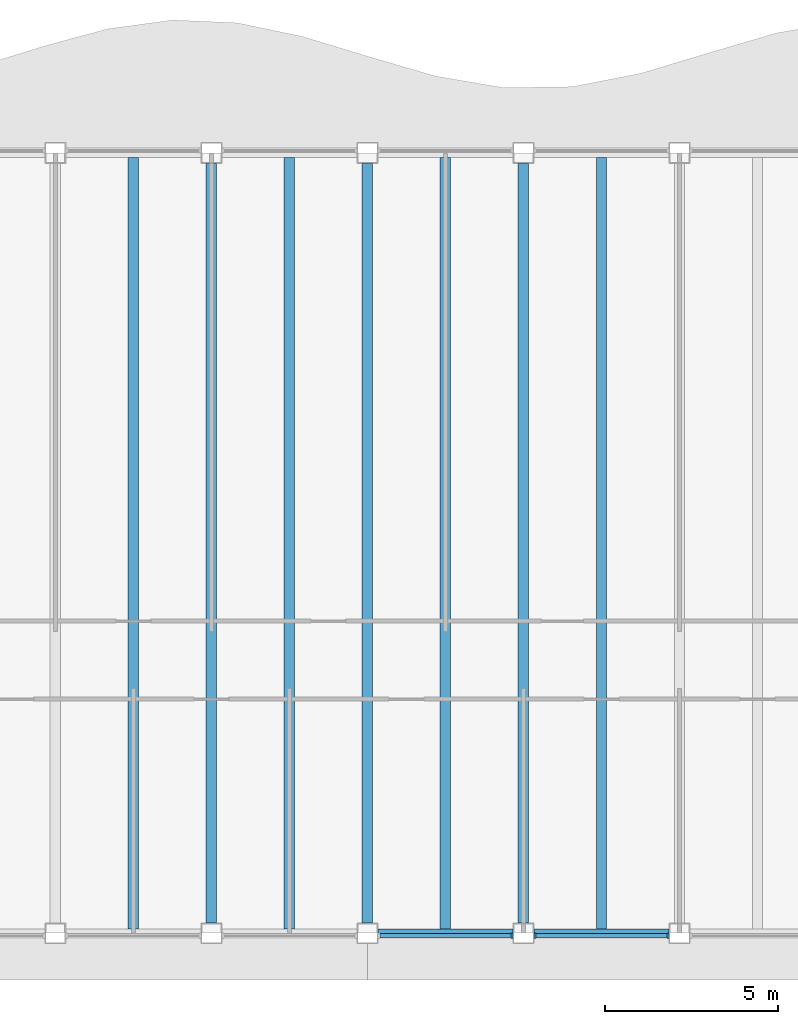
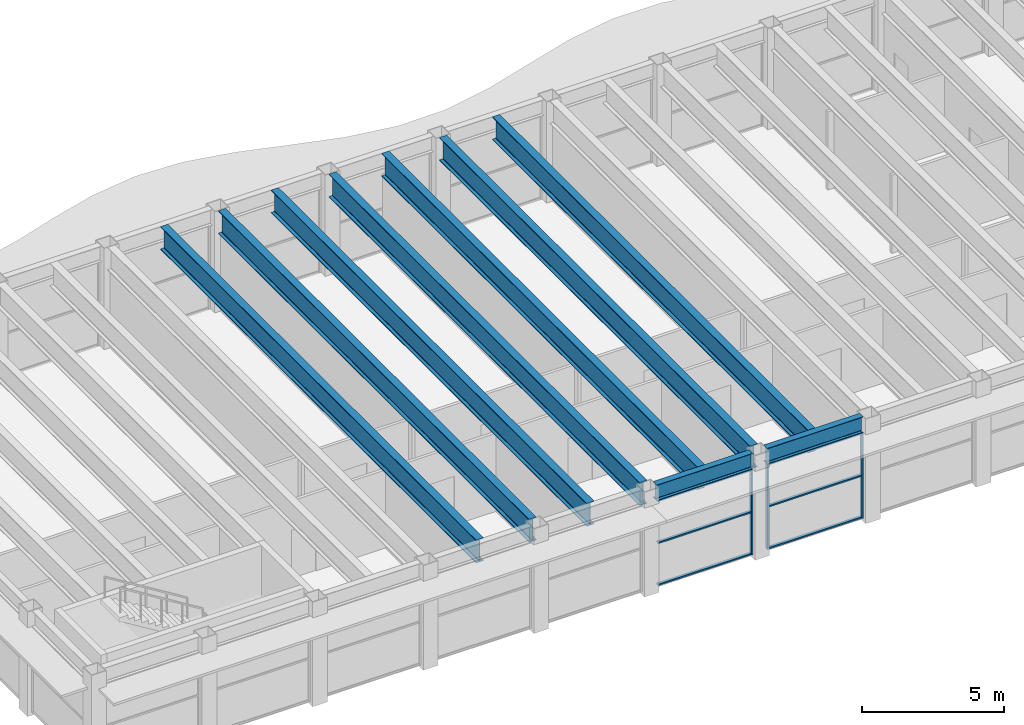
# One storey, part 3 of 14: 9 beams, 9 members, 2 elements without a shape of their own.
"""IFC4 building model written with IfcOpenShell, lengths in metres."""

from ifc_helpers import new_model, si_unit, direction, frame, origin, origin_2d, place, context, subcontext, project, spatial, rectangle, i_section, extrude, material, material_profile, profile_set, type_object, element, aggregate, save


model = new_model("IFC4")

# Units and contexts
model_context = context("Model", 3, precision=1e-05, world=origin(), true_north=direction((0.0, 1.0)))
body_context = subcontext(model_context, "Body", "Model", "MODEL_VIEW")
ifc_project = project(units=[si_unit("LENGTHUNIT", "METRE"), si_unit("AREAUNIT", "SQUARE_METRE"), si_unit("VOLUMEUNIT", "CUBIC_METRE"), si_unit("PLANEANGLEUNIT", "RADIAN"), si_unit("MASSUNIT", "GRAM", prefix="KILO")], contexts=[model_context])

# Site, building, storey
site_placement = place(None, origin())
site = spatial("IfcSite", under=ifc_project, at=site_placement, CompositionType="ELEMENT")
building_placement = place(site_placement, origin())
building = spatial("IfcBuilding", under=site, at=building_placement, Name="Sennacour Bend Tower", CompositionType="ELEMENT")
storey_placement = place(building_placement, frame((0.0, 0.0, 336.5)))
storey = spatial("IfcBuildingStorey", under=building, at=storey_placement, Name="L77", CompositionType="ELEMENT", Elevation=336.5)

# Curtain wall, member
ifc_material_1 = material(Name="Bronze anodised aluminium curtain wall with clear glass", Category="aluminium")
curtain_wall_type = type_object("IfcCurtainWallType", Name="CURTAIN WALL EXEC", PredefinedType="NOTDEFINED", material=ifc_material_1)
curtain_wall_1_placement = place(storey_placement, origin())
curtain_wall_1 = element("IfcCurtainWall", 1, at=curtain_wall_1_placement, inside=storey, type_object=curtain_wall_type, Name="Executive floor glass wall L77", PredefinedType="NOTDEFINED")
ifc_material_2 = material(Name="Aluminium 6063-T6", Category="aluminium")
ifc_material_profile_1 = material_profile(ifc_material_2, rectangle(XDim=0.14990234375, YDim=0.06005859375, at=origin_2d()), Name="Aluminium 6063-T6", Category="aluminium")
ifc_profile_set_1 = profile_set([ifc_material_profile_1], Name="Aluminium 6063-T6")
member_type_1 = type_object("IfcMemberType", Name="CW-MULLION-150X60", PredefinedType="MULLION", material=ifc_profile_set_1)
member_1_placement = place(storey_placement, frame((26.669921875, -0.074951171875, 0.0), z_axis=(0.0, 0.0, 1.0), x_axis=(0.0, 1.0, 0.0)))
member_1 = element("IfcMember", 2, at=member_1_placement, type_object=member_type_1, Name="GW3 curtain wall mullion 2", PredefinedType="MULLION", context=body_context, shape_type="SweptSolid", body=[
    extrude(rectangle(XDim=0.14990234375, YDim=0.06005859375, at=origin_2d()), origin(), (0.0, 0.0, 1.0), 3.672119140625),
])

# Curtain wall, members
curtain_wall_2_placement = place(storey_placement, origin())
curtain_wall_2 = element("IfcCurtainWall", 3, at=curtain_wall_2_placement, inside=storey, type_object=curtain_wall_type, Name="Executive floor glass wall L77", PredefinedType="NOTDEFINED")
member_2_placement = place(storey_placement, frame((27.330078125, -0.074951171875, 0.0), z_axis=(0.0, 0.0, 1.0), x_axis=(0.0, 1.0, 0.0)))
member_2 = element("IfcMember", 4, at=member_2_placement, type_object=member_type_1, Name="GW3 curtain wall mullion 1", PredefinedType="MULLION", context=body_context, shape_type="SweptSolid", body=[
    extrude(rectangle(XDim=0.14990234375, YDim=0.06005859375, at=origin_2d()), origin(), (0.0, 0.0, 1.0), 3.672119140625),
])
member_3_placement = place(storey_placement, frame((31.169921875, -0.074951171875, 0.0), z_axis=(0.0, 0.0, 1.0), x_axis=(0.0, 1.0, 0.0)))
member_3 = element("IfcMember", 5, at=member_3_placement, type_object=member_type_1, Name="GW3 curtain wall mullion 2", PredefinedType="MULLION", context=body_context, shape_type="SweptSolid", body=[
    extrude(rectangle(XDim=0.14990234375, YDim=0.06005859375, at=origin_2d()), origin(), (0.0, 0.0, 1.0), 3.672119140625),
])

# Member
ifc_material_profile_2 = material_profile(ifc_material_2, rectangle(XDim=0.1201171875, YDim=0.06005859375, at=origin_2d()), Name="Aluminium 6063-T6", Category="aluminium")
ifc_profile_set_2 = profile_set([ifc_material_profile_2], Name="Aluminium 6063-T6")
member_type_2 = type_object("IfcMemberType", Name="CW-TRANSOM-120X60", PredefinedType="USERDEFINED", material=ifc_profile_set_2)
member_4_placement = place(storey_placement, frame((22.860107421875, -0.074951171875, 0.030029296875), z_axis=(1.0, 0.0, 0.0), x_axis=(0.0, 1.0, 0.0)))
member_4 = element("IfcMember", 6, at=member_4_placement, type_object=member_type_2, Name="GW3 curtain wall transom 1.1", ObjectType="TRANSOM", PredefinedType="USERDEFINED", context=body_context, shape_type="SweptSolid", body=[
    extrude(rectangle(XDim=0.1201171875, YDim=0.06005859375, at=origin_2d()), origin(), (0.0, 0.0, 1.0), 3.77978515625),
])

member_5_placement = place(storey_placement, frame((22.860107421875, -0.074951171875, 1.8359375), z_axis=(1.0, 0.0, 0.0), x_axis=(0.0, 1.0, 0.0)))
member_5 = element("IfcMember", 7, at=member_5_placement, type_object=member_type_2, Name="GW3 curtain wall transom 1.2", ObjectType="TRANSOM", PredefinedType="USERDEFINED", context=body_context, shape_type="SweptSolid", body=[
    extrude(rectangle(XDim=0.1201171875, YDim=0.06005859375, at=origin_2d()), origin(), (0.0, 0.0, 1.0), 3.77978515625),
])

member_6_placement = place(storey_placement, frame((22.860107421875, -0.074951171875, 3.64208984375), z_axis=(1.0, 0.0, 0.0), x_axis=(0.0, 1.0, 0.0)))
member_6 = element("IfcMember", 8, at=member_6_placement, type_object=member_type_2, Name="GW3 curtain wall transom 1.3", ObjectType="TRANSOM", PredefinedType="USERDEFINED", context=body_context, shape_type="SweptSolid", body=[
    extrude(rectangle(XDim=0.1201171875, YDim=0.06005859375, at=origin_2d()), origin(), (0.0, 0.0, 1.0), 3.77978515625),
])

aggregate(curtain_wall_1, [member_1, member_4, member_5, member_6])

member_7_placement = place(storey_placement, frame((27.360107421875, -0.074951171875, 0.030029296875), z_axis=(1.0, 0.0, 0.0), x_axis=(0.0, 1.0, 0.0)))
member_7 = element("IfcMember", 9, at=member_7_placement, type_object=member_type_2, Name="GW3 curtain wall transom 1.1", ObjectType="TRANSOM", PredefinedType="USERDEFINED", context=body_context, shape_type="SweptSolid", body=[
    extrude(rectangle(XDim=0.1201171875, YDim=0.06005859375, at=origin_2d()), origin(), (0.0, 0.0, 1.0), 3.77978515625),
])

member_8_placement = place(storey_placement, frame((27.360107421875, -0.074951171875, 1.8359375), z_axis=(1.0, 0.0, 0.0), x_axis=(0.0, 1.0, 0.0)))
member_8 = element("IfcMember", 10, at=member_8_placement, type_object=member_type_2, Name="GW3 curtain wall transom 1.2", ObjectType="TRANSOM", PredefinedType="USERDEFINED", context=body_context, shape_type="SweptSolid", body=[
    extrude(rectangle(XDim=0.1201171875, YDim=0.06005859375, at=origin_2d()), origin(), (0.0, 0.0, 1.0), 3.77978515625),
])

member_9_placement = place(storey_placement, frame((27.360107421875, -0.074951171875, 3.64208984375), z_axis=(1.0, 0.0, 0.0), x_axis=(0.0, 1.0, 0.0)))
member_9 = element("IfcMember", 11, at=member_9_placement, type_object=member_type_2, Name="GW3 curtain wall transom 1.3", ObjectType="TRANSOM", PredefinedType="USERDEFINED", context=body_context, shape_type="SweptSolid", body=[
    extrude(rectangle(XDim=0.1201171875, YDim=0.06005859375, at=origin_2d()), origin(), (0.0, 0.0, 1.0), 3.77978515625),
])

aggregate(curtain_wall_2, [member_2, member_3, member_7, member_8, member_9])

# Beams
ifc_material_3 = material(Name="Steel ASTM A992 Grade 50", Category="steel")
ifc_material_profile_3 = material_profile(ifc_material_3, i_section(OverallWidth=0.300048828125, OverallDepth=0.990966796875, WebThickness=0.0166015625, FlangeThickness=0.030517578125, FilletRadius=0.030029296875, at=origin_2d()), Name="Steel ASTM A992 Grade 50", Category="steel")
ifc_profile_set_3 = profile_set([ifc_material_profile_3], Name="Steel ASTM A992 Grade 50")
beam_type_1 = type_object("IfcBeamType", Name="Floor beam W1000X272", PredefinedType="BEAM", material=ifc_profile_set_3)
beam_1_placement = place(storey_placement, frame((15.75, 0.126953125, 3.8544921875), z_axis=(0.0, 1.0, 0.0), x_axis=(-1.0, 0.0, 0.0)))
element("IfcBeam", 12, at=beam_1_placement, inside=storey, type_object=beam_type_1, Name="Floor beam FBM3 L78-007", PredefinedType="BEAM", context=body_context, shape_type="SweptSolid", body=[
    extrude(i_section(OverallWidth=0.300048828125, OverallDepth=0.990966796875, WebThickness=0.0166015625, FlangeThickness=0.030517578125, FilletRadius=0.030029296875, at=origin_2d()), origin(), (0.0, 0.0, 1.0), 22.24609375),
])
beam_2_placement = place(storey_placement, frame((18.0, 0.300048828125, 3.8544921875), z_axis=(0.0, 1.0, 0.0), x_axis=(-1.0, 0.0, 0.0)))
element("IfcBeam", 13, at=beam_2_placement, inside=storey, type_object=beam_type_1, Name="Floor beam FBM3 L78-008", PredefinedType="BEAM", context=body_context, shape_type="SweptSolid", body=[
    extrude(i_section(OverallWidth=0.300048828125, OverallDepth=0.990966796875, WebThickness=0.0166015625, FlangeThickness=0.030517578125, FilletRadius=0.030029296875, at=origin_2d()), origin(), (0.0, 0.0, 1.0), 21.89990234375),
])
beam_3_placement = place(storey_placement, frame((20.25, 0.126953125, 3.8544921875), z_axis=(0.0, 1.0, 0.0), x_axis=(-1.0, 0.0, 0.0)))
element("IfcBeam", 14, at=beam_3_placement, inside=storey, type_object=beam_type_1, Name="Floor beam FBM3 L78-009", PredefinedType="BEAM", context=body_context, shape_type="SweptSolid", body=[
    extrude(i_section(OverallWidth=0.300048828125, OverallDepth=0.990966796875, WebThickness=0.0166015625, FlangeThickness=0.030517578125, FilletRadius=0.030029296875, at=origin_2d()), origin(), (0.0, 0.0, 1.0), 22.24609375),
])
beam_4_placement = place(storey_placement, frame((22.5, 0.300048828125, 3.8544921875), z_axis=(0.0, 1.0, 0.0), x_axis=(-1.0, 0.0, 0.0)))
element("IfcBeam", 15, at=beam_4_placement, inside=storey, type_object=beam_type_1, Name="Floor beam FBM3 L78-010", PredefinedType="BEAM", context=body_context, shape_type="SweptSolid", body=[
    extrude(i_section(OverallWidth=0.300048828125, OverallDepth=0.990966796875, WebThickness=0.0166015625, FlangeThickness=0.030517578125, FilletRadius=0.030029296875, at=origin_2d()), origin(), (0.0, 0.0, 1.0), 21.89990234375),
])
beam_5_placement = place(storey_placement, frame((24.75, 0.126953125, 3.8544921875), z_axis=(0.0, 1.0, 0.0), x_axis=(-1.0, 0.0, 0.0)))
element("IfcBeam", 16, at=beam_5_placement, inside=storey, type_object=beam_type_1, Name="Floor beam FBM3 L78-011", PredefinedType="BEAM", context=body_context, shape_type="SweptSolid", body=[
    extrude(i_section(OverallWidth=0.300048828125, OverallDepth=0.990966796875, WebThickness=0.0166015625, FlangeThickness=0.030517578125, FilletRadius=0.030029296875, at=origin_2d()), origin(), (0.0, 0.0, 1.0), 22.24609375),
])
beam_6_placement = place(storey_placement, frame((27.0, 0.300048828125, 3.8544921875), z_axis=(0.0, 1.0, 0.0), x_axis=(-1.0, 0.0, 0.0)))
element("IfcBeam", 17, at=beam_6_placement, inside=storey, type_object=beam_type_1, Name="Floor beam FBM3 L78-012", PredefinedType="BEAM", context=body_context, shape_type="SweptSolid", body=[
    extrude(i_section(OverallWidth=0.300048828125, OverallDepth=0.990966796875, WebThickness=0.0166015625, FlangeThickness=0.030517578125, FilletRadius=0.030029296875, at=origin_2d()), origin(), (0.0, 0.0, 1.0), 21.89990234375),
])
beam_7_placement = place(storey_placement, frame((29.25, 0.126953125, 3.8544921875), z_axis=(0.0, 1.0, 0.0), x_axis=(-1.0, 0.0, 0.0)))
element("IfcBeam", 18, at=beam_7_placement, inside=storey, type_object=beam_type_1, Name="Floor beam FBM3 L78-013", PredefinedType="BEAM", context=body_context, shape_type="SweptSolid", body=[
    extrude(i_section(OverallWidth=0.300048828125, OverallDepth=0.990966796875, WebThickness=0.0166015625, FlangeThickness=0.030517578125, FilletRadius=0.030029296875, at=origin_2d()), origin(), (0.0, 0.0, 1.0), 22.24609375),
])
ifc_material_profile_4 = material_profile(ifc_material_3, i_section(OverallWidth=0.25390625, OverallDepth=0.677978515625, WebThickness=0.01171875, FlangeThickness=0.016357421875, FilletRadius=0.01513671875, at=origin_2d()), Name="Steel ASTM A992 Grade 50", Category="steel")
ifc_profile_set_4 = profile_set([ifc_material_profile_4], Name="Steel ASTM A992 Grade 50")
beam_type_2 = type_object("IfcBeamType", Name="Spandrel beam W690X125", PredefinedType="SPANDREL", material=ifc_profile_set_4)
for number, where, z_axis, x_axis, name in (
    (19, (31.199951171875, 0.0, 4.010986328125), (-1.0, 0.0, 0.0), (0.0, -1.0, 0.0), "Spandrel beam SP7 L78-023"),
    (20, (26.699951171875, 0.0, 4.010986328125), (-1.0, 0.0, 0.0), (0.0, -1.0, 0.0), "Spandrel beam SP7 L78-024"),
):
    element("IfcBeam", number, at=place(storey_placement, frame(where, z_axis=z_axis, x_axis=x_axis)), inside=storey, type_object=beam_type_2, Name=name, PredefinedType="SPANDREL", context=body_context, shape_type="SweptSolid", body=[
        extrude(i_section(OverallWidth=0.25390625, OverallDepth=0.677978515625, WebThickness=0.01171875, FlangeThickness=0.016357421875, FilletRadius=0.01513671875, at=origin_2d()), origin(), (0.0, 0.0, 1.0), 3.89990234375),
    ])

save(model, "model.ifc")
